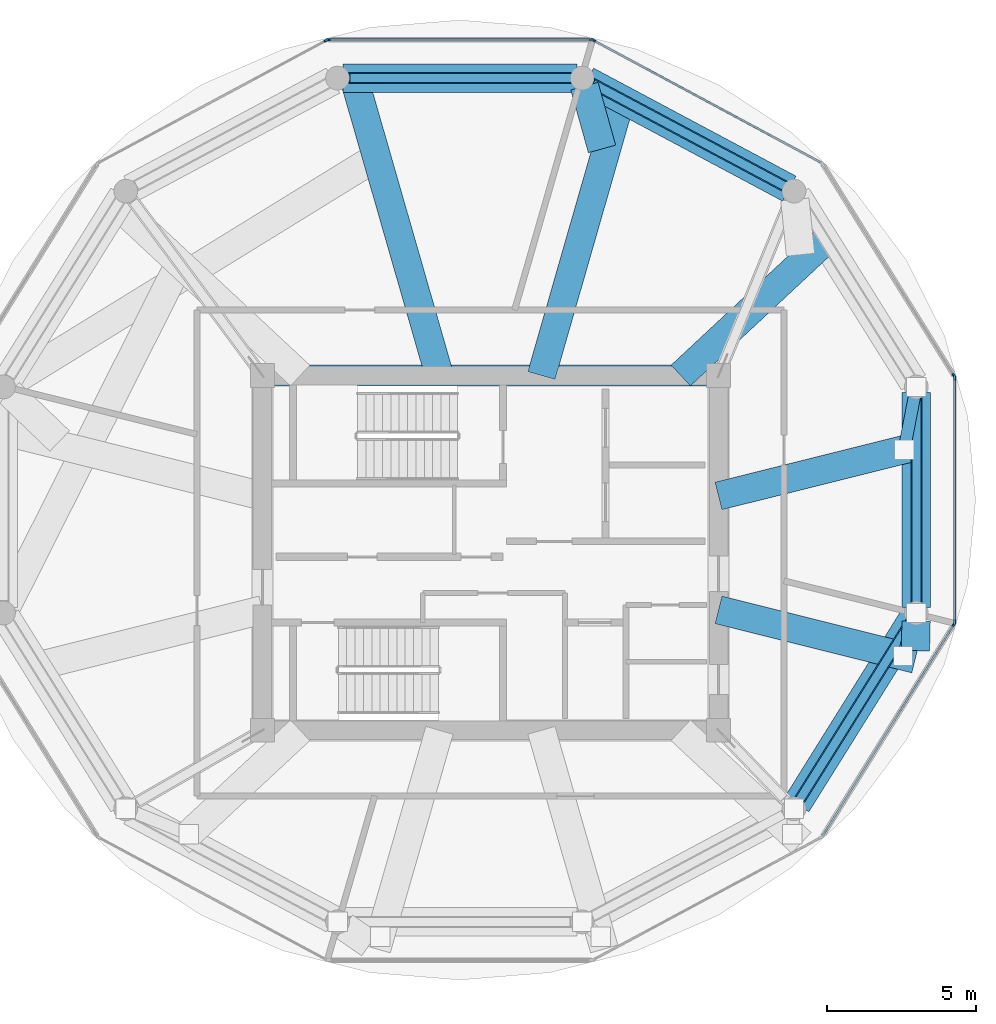
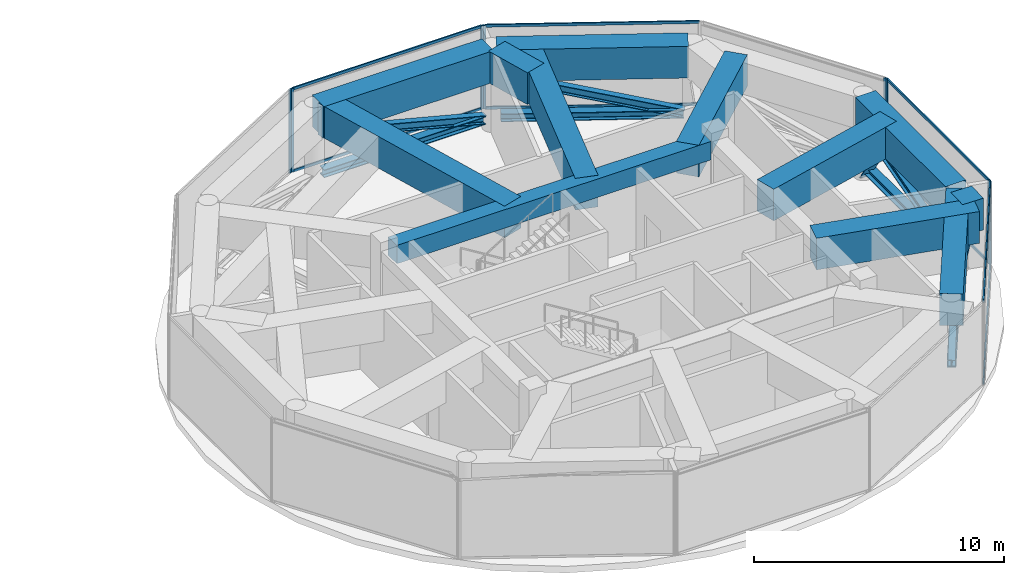
# One storey, part 9 of 20: 26 members, 12 beams, 6 elements without a shape of their own.
"""IFC4 building model written with IfcOpenShell, lengths in metres."""

from ifc_helpers import new_model, si_unit, direction, frame, origin, origin_2d, place, context, subcontext, project, spatial, rectangle, i_section, extrude, source, transform, mapped, material, layer, layer_set, material_profile, profile_set, type_object, type_shapes, element, aggregate, save


model = new_model("IFC4")

# Units and contexts
model_context = context("Model", 3, precision=1e-05, world=origin(), true_north=direction((0.0, 1.0)))
body_context = subcontext(model_context, "Body", "Model", "MODEL_VIEW")
ifc_project = project(units=[si_unit("LENGTHUNIT", "METRE"), si_unit("AREAUNIT", "SQUARE_METRE"), si_unit("VOLUMEUNIT", "CUBIC_METRE"), si_unit("PLANEANGLEUNIT", "RADIAN"), si_unit("MASSUNIT", "GRAM", prefix="KILO")], contexts=[model_context])

# Site, building, storey
site_placement = place(None, origin())
site = spatial("IfcSite", under=ifc_project, at=site_placement, CompositionType="ELEMENT")
building_placement = place(site_placement, origin())
building = spatial("IfcBuilding", under=site, at=building_placement, Name="Norrkilde Senior Care Towers", CompositionType="ELEMENT")
storey_placement = place(building_placement, frame((0.0, 0.0, 186.14990234375)))
storey = spatial("IfcBuildingStorey", under=building, at=storey_placement, Name="L58", CompositionType="ELEMENT", Elevation=186.14990234375)

# Beams
ifc_material_1 = material(Name="Concrete C60/75", Category="concrete")
ifc_material_profile_1 = material_profile(ifc_material_1, rectangle(XDim=0.699951171875, YDim=0.89990234375, at=origin_2d()), Name="RC BM 700x900")
ifc_profile_set_1 = profile_set([ifc_material_profile_1], Name="Concrete C60/75")
beam_type_1 = type_object("IfcBeamType", Name="Core Coupling Girder 700x900", PredefinedType="USERDEFINED", material=ifc_profile_set_1)
shared_shape_1 = source(origin(), body_context, "Body", "SweptSolid", [
    extrude(rectangle(XDim=0.699951171875, YDim=0.89990234375, at=origin_2d()), origin(), (0.0, 0.0, 1.0), 14.5400390625),
])
type_shapes(beam_type_1, [shared_shape_1])
beam_1_placement = place(storey_placement, frame((20.72998046875, 5.949951171875, 3.630126953125), z_axis=(1.0, 0.0, 0.0), x_axis=(0.0, 1.0, 0.0)))
element("IfcBeam", 1, at=beam_1_placement, inside=storey, type_object=beam_type_1, Name="L58 Core E N Coupling Girder", ObjectType="GIRDER", PredefinedType="USERDEFINED", context=body_context, shape_type="MappedRepresentation", body=[
    mapped(shared_shape_1, transform((0.0, 0.0, 0.0), x_axis=(1.0, 0.0, 0.0), y_axis=(0.0, 1.0, 0.0), z_axis=(0.0, 0.0, 1.0), scale=1.0)),
])
ifc_material_profile_2 = material_profile(ifc_material_1, rectangle(XDim=0.949951171875, YDim=1.550048828125, at=origin_2d()), Name="RC TG 950x1550")
ifc_profile_set_2 = profile_set([ifc_material_profile_2], Name="Concrete C60/75")
beam_type_2 = type_object("IfcBeamType", Name="Transfer Girder Zone Shift 950x1550", PredefinedType="USERDEFINED", material=ifc_profile_set_2)
shared_shape_2 = source(origin(), body_context, "Body", "SweptSolid", [
    extrude(rectangle(XDim=0.949951171875, YDim=1.550048828125, at=origin_2d()), origin(), (0.0, 0.0, 1.0), 7.38330078125),
])
beam_2_placement = place(storey_placement, frame((38.278076171875, -8.43115234375, 3.30517578125), z_axis=(0.529755193474, 0.84815059688, 0.0), x_axis=(-0.84815059688, 0.529755193474, 0.0)))
element("IfcBeam", 2, at=beam_2_placement, inside=storey, type_object=beam_type_2, Name="L58 Drum E Zone Ring Transfer Girder 11", ObjectType="GIRDER", PredefinedType="USERDEFINED", context=body_context, shape_type="MappedRepresentation", body=[
    mapped(shared_shape_2, transform((0.0, 0.0, 0.0), x_axis=(1.0, 0.0, 0.0), y_axis=(0.0, 1.0, 0.0), z_axis=(0.0, 0.0, 1.0), scale=1.0)),
])
shared_shape_3 = source(origin(), body_context, "Body", "SweptSolid", [
    extrude(rectangle(XDim=0.949951171875, YDim=1.550048828125, at=origin_2d()), origin(), (0.0, 0.0, 1.0), 7.844482421875),
])
beam_3_placement = place(storey_placement, frame((30.897216796875, 15.92626953125, 3.30517578125), z_axis=(-1.0, 0.0, 0.0), x_axis=(0.0, -1.0, 0.0)))
element("IfcBeam", 3, at=beam_3_placement, inside=storey, type_object=beam_type_2, Name="L58 Drum E Zone Ring Transfer Girder 03", ObjectType="GIRDER", PredefinedType="USERDEFINED", context=body_context, shape_type="MappedRepresentation", body=[
    mapped(shared_shape_3, transform((0.0, 0.0, 0.0), x_axis=(1.0, 0.0, 0.0), y_axis=(0.0, 1.0, 0.0), z_axis=(0.0, 0.0, 1.0), scale=1.0)),
])
shared_shape_4 = source(origin(), body_context, "Body", "SweptSolid", [
    extrude(rectangle(XDim=0.949951171875, YDim=1.550048828125, at=origin_2d()), origin(), (0.0, 0.0, 1.0), 7.69384765625),
])
beam_4_placement = place(storey_placement, frame((38.02392578125, 12.21923828125, 3.30517578125), z_axis=(-0.882251026015, 0.470779276408, 0.0), x_axis=(-0.470779276408, -0.882251026015, 0.0)))
element("IfcBeam", 4, at=beam_4_placement, inside=storey, type_object=beam_type_2, Name="L58 Drum E Zone Ring Transfer Girder 02", ObjectType="GIRDER", PredefinedType="USERDEFINED", context=body_context, shape_type="MappedRepresentation", body=[
    mapped(shared_shape_4, transform((0.0, 0.0, 0.0), x_axis=(1.0, 0.0, 0.0), y_axis=(0.0, 1.0, 0.0), z_axis=(0.0, 0.0, 1.0), scale=1.0)),
])
shared_shape_5 = source(origin(), body_context, "Body", "SweptSolid", [
    extrude(rectangle(XDim=0.949951171875, YDim=1.550048828125, at=origin_2d()), origin(), (0.0, 0.0, 1.0), 7.223388671875),
])
beam_5_placement = place(storey_placement, frame((42.284912109375, -1.83642578125, 3.30517578125), z_axis=(0.0, 1.0, 0.0), x_axis=(-1.0, 0.0, 0.0)))
element("IfcBeam", 5, at=beam_5_placement, inside=storey, type_object=beam_type_2, Name="L58 Drum E Zone Ring Transfer Girder 12", ObjectType="GIRDER", PredefinedType="USERDEFINED", context=body_context, shape_type="MappedRepresentation", body=[
    mapped(shared_shape_5, transform((0.0, 0.0, 0.0), x_axis=(1.0, 0.0, 0.0), y_axis=(0.0, 1.0, 0.0), z_axis=(0.0, 0.0, 1.0), scale=1.0)),
])
shared_shape_6 = source(origin(), body_context, "Body", "SweptSolid", [
    extrude(rectangle(XDim=0.949951171875, YDim=1.550048828125, at=origin_2d()), origin(), (0.0, 0.0, 1.0), 10.38037109375),
])
beam_6_placement = place(storey_placement, frame((26.289794921875, 5.949951171875, 3.30517578125), z_axis=(-0.276261532611, 0.961082496771, 0.0), x_axis=(-0.961082496771, -0.276261532611, 0.0)))
element("IfcBeam", 6, at=beam_6_placement, inside=storey, type_object=beam_type_2, Name="L58 Drum E Zone Transfer Girder 04", ObjectType="GIRDER", PredefinedType="USERDEFINED", context=body_context, shape_type="MappedRepresentation", body=[
    mapped(shared_shape_6, transform((0.0, 0.0, 0.0), x_axis=(1.0, 0.0, 0.0), y_axis=(0.0, 1.0, 0.0), z_axis=(0.0, 0.0, 1.0), scale=1.0)),
])
shared_shape_7 = source(origin(), body_context, "Body", "SweptSolid", [
    extrude(rectangle(XDim=0.949951171875, YDim=1.550048828125, at=origin_2d()), origin(), (0.0, 0.0, 1.0), 9.65771484375),
])
beam_7_placement = place(storey_placement, frame((29.710205078125, 5.949951171875, 3.30517578125), z_axis=(0.276249927127, 0.961085832672, 0.0), x_axis=(-0.961085832672, 0.276249927127, 0.0)))
element("IfcBeam", 7, at=beam_7_placement, inside=storey, type_object=beam_type_2, Name="L58 Drum E Zone Transfer Girder 03", ObjectType="GIRDER", PredefinedType="USERDEFINED", context=body_context, shape_type="MappedRepresentation", body=[
    mapped(shared_shape_7, transform((0.0, 0.0, 0.0), x_axis=(1.0, 0.0, 0.0), y_axis=(0.0, 1.0, 0.0), z_axis=(0.0, 0.0, 1.0), scale=1.0)),
])
shared_shape_8 = source(origin(), body_context, "Body", "SweptSolid", [
    extrude(rectangle(XDim=0.949951171875, YDim=1.550048828125, at=origin_2d()), origin(), (0.0, 0.0, 1.0), 2.186279296875),
])
beam_8_placement = place(storey_placement, frame((31.7421875, 13.551025390625, 3.30517578125), z_axis=(-0.269555372018, 0.962984891583, 0.0), x_axis=(-0.962984891583, -0.269555372018, 0.0)))
element("IfcBeam", 8, at=beam_8_placement, inside=storey, type_object=beam_type_2, Name="L58 Drum E Zone Star Transfer Tie 03", ObjectType="GIRDER", PredefinedType="USERDEFINED", context=body_context, shape_type="MappedRepresentation", body=[
    mapped(shared_shape_8, transform((0.0, 0.0, 0.0), x_axis=(1.0, 0.0, 0.0), y_axis=(0.0, 1.0, 0.0), z_axis=(0.0, 0.0, 1.0), scale=1.0)),
])
shared_shape_9 = source(origin(), body_context, "Body", "SweptSolid", [
    extrude(rectangle(XDim=0.949951171875, YDim=1.550048828125, at=origin_2d()), origin(), (0.0, 0.0, 1.0), 6.620849609375),
])
beam_9_placement = place(storey_placement, frame((34.3828125, 5.949951171875, 3.30517578125), z_axis=(0.731452448318, 0.68189245182, 0.0), x_axis=(-0.68189245182, 0.731452448318, 0.0)))
element("IfcBeam", 9, at=beam_9_placement, inside=storey, type_object=beam_type_2, Name="L58 Drum E Zone Transfer Girder 02", ObjectType="GIRDER", PredefinedType="USERDEFINED", context=body_context, shape_type="MappedRepresentation", body=[
    mapped(shared_shape_9, transform((0.0, 0.0, 0.0), x_axis=(1.0, 0.0, 0.0), y_axis=(0.0, 1.0, 0.0), z_axis=(0.0, 0.0, 1.0), scale=1.0)),
])
shared_shape_10 = source(origin(), body_context, "Body", "SweptSolid", [
    extrude(rectangle(XDim=0.949951171875, YDim=1.550048828125, at=origin_2d()), origin(), (0.0, 0.0, 1.0), 6.8388671875),
])
beam_10_placement = place(storey_placement, frame((35.64990234375, 1.910888671875, 3.30517578125), z_axis=(0.970194976123, 0.242325624533, 0.0), x_axis=(-0.242325624533, 0.970194976123, 0.0)))
element("IfcBeam", 10, at=beam_10_placement, inside=storey, type_object=beam_type_2, Name="L58 Drum E Zone Transfer Girder 01", ObjectType="GIRDER", PredefinedType="USERDEFINED", context=body_context, shape_type="MappedRepresentation", body=[
    mapped(shared_shape_10, transform((0.0, 0.0, 0.0), x_axis=(1.0, 0.0, 0.0), y_axis=(0.0, 1.0, 0.0), z_axis=(0.0, 0.0, 1.0), scale=1.0)),
])

# Member
ifc_material_2 = material(Name="Steel S355", Category="steel")
ifc_material_profile_3 = material_profile(ifc_material_2, i_section(OverallWidth=0.412109375, OverallDepth=0.449951171875, WebThickness=0.028076171875, FlangeThickness=0.044921875, FilletRadius=0.014892578125, at=origin_2d()), Name="HD 400x509")
ifc_profile_set_3 = profile_set([ifc_material_profile_3], Name="Steel S355")
member_type_1 = type_object("IfcMemberType", Name="Pratt Bridge Truss Diagonal HD400x509", PredefinedType="BRACE", material=ifc_profile_set_3)
shared_shape_11 = source(origin(), body_context, "Body", "SweptSolid", [
    extrude(i_section(OverallWidth=0.412109375, OverallDepth=0.449951171875, WebThickness=0.028076171875, FlangeThickness=0.044921875, FilletRadius=0.014892578125, at=origin_2d()), origin(), (0.0, 0.0, 1.0), 3.429443359375),
])
member_1_placement = place(storey_placement, frame((42.284912109375, 5.567138671875, 0.150146484375), z_axis=(-0.118813025192, -0.612574045404, 0.781432341244), x_axis=(0.981704938086, -0.190408546388, 0.0)))
element("IfcMember", 11, at=member_1_placement, inside=storey, type_object=member_type_1, Name="L58 Drum E Zone Transfer Raking Strut 01", PredefinedType="BRACE", context=body_context, shape_type="MappedRepresentation", body=[
    mapped(shared_shape_11, transform((0.0, 0.0, 0.0), x_axis=(1.0, 0.0, 0.0), y_axis=(0.0, 1.0, 0.0), z_axis=(0.0, 0.0, 1.0), scale=1.0)),
])

# Beam
shared_shape_12 = source(origin(), body_context, "Body", "SweptSolid", [
    extrude(rectangle(XDim=0.949951171875, YDim=1.550048828125, at=origin_2d()), origin(), (0.0, 0.0, 1.0), 6.800048828125),
])
beam_11_placement = place(storey_placement, frame((35.64990234375, -1.910888671875, 3.30517578125), z_axis=(0.970191054549, -0.242341324731, 0.0), x_axis=(0.242341324731, 0.970191054549, 0.0)))
element("IfcBeam", 12, at=beam_11_placement, inside=storey, type_object=beam_type_2, Name="L58 Drum E Zone Transfer Girder 12", ObjectType="GIRDER", PredefinedType="USERDEFINED", context=body_context, shape_type="MappedRepresentation", body=[
    mapped(shared_shape_12, transform((0.0, 0.0, 0.0), x_axis=(1.0, 0.0, 0.0), y_axis=(0.0, 1.0, 0.0), z_axis=(0.0, 0.0, 1.0), scale=1.0)),
])

# Member
shared_shape_13 = source(origin(), body_context, "Body", "SweptSolid", [
    extrude(i_section(OverallWidth=0.412109375, OverallDepth=0.449951171875, WebThickness=0.028076171875, FlangeThickness=0.044921875, FilletRadius=0.014892578125, at=origin_2d()), origin(), (0.0, 0.0, 1.0), 3.074951171875),
])
type_shapes(member_type_1, [shared_shape_11, shared_shape_13])
member_2_placement = place(storey_placement, frame((42.284912109375, -2.016357421875, 0.150146484375), z_axis=(-0.144737405978, -0.468510933997, 0.871520847735), x_axis=(0.955445820467, -0.295166536301, 0.0)))
element("IfcMember", 13, at=member_2_placement, inside=storey, type_object=member_type_1, Name="L58 Drum E Zone Transfer Raking Strut 12", PredefinedType="BRACE", context=body_context, shape_type="MappedRepresentation", body=[
    mapped(shared_shape_13, transform((0.0, 0.0, 0.0), x_axis=(1.0, 0.0, 0.0), y_axis=(0.0, 1.0, 0.0), z_axis=(0.0, 0.0, 1.0), scale=1.0)),
])

# Beam
shared_shape_14 = source(origin(), body_context, "Body", "SweptSolid", [
    extrude(rectangle(XDim=0.949951171875, YDim=1.550048828125, at=origin_2d()), origin(), (0.0, 0.0, 1.0), 0.98291015625),
])
type_shapes(beam_type_2, [shared_shape_2, shared_shape_3, shared_shape_4, shared_shape_5, shared_shape_6, shared_shape_7, shared_shape_8, shared_shape_9, shared_shape_10, shared_shape_12, shared_shape_14])
beam_12_placement = place(storey_placement, frame((42.254150390625, -3.27880859375, 3.30517578125), z_axis=(0.024340612396, 0.999703723404, 0.0), x_axis=(-0.999703723404, 0.024340612396, 0.0)))
element("IfcBeam", 14, at=beam_12_placement, inside=storey, type_object=beam_type_2, Name="L58 Drum E Zone Star Transfer Tie 12", ObjectType="GIRDER", PredefinedType="USERDEFINED", context=body_context, shape_type="MappedRepresentation", body=[
    mapped(shared_shape_14, transform((0.0, 0.0, 0.0), x_axis=(1.0, 0.0, 0.0), y_axis=(0.0, 1.0, 0.0), z_axis=(0.0, 0.0, 1.0), scale=1.0)),
])

# Members
ifc_material_profile_4 = material_profile(ifc_material_2, i_section(OverallWidth=0.300048828125, OverallDepth=0.39990234375, WebThickness=0.013427734375, FlangeThickness=0.02392578125, FilletRadius=0.027099609375, at=origin_2d()), Name="HEB 400")
ifc_profile_set_4 = profile_set([ifc_material_profile_4], Name="Steel S355")
member_type_2 = type_object("IfcMemberType", Name="Belt Truss Diagonal HEB400", PredefinedType="BRACE", material=ifc_profile_set_4)
shared_shape_15 = source(origin(), body_context, "Body", "SweptSolid", [
    extrude(i_section(OverallWidth=0.300048828125, OverallDepth=0.39990234375, WebThickness=0.013427734375, FlangeThickness=0.02392578125, FilletRadius=0.027099609375, at=origin_2d()), origin(), (0.0, 0.0, 1.0), 7.28369140625),
])
member_3_placement = place(storey_placement, frame((38.373291015625, -8.2783203125, 0.550048828125), z_axis=(0.510868141295, 0.81780466579, 0.264970320644), x_axis=(-0.848119362441, 0.529805197269, 0.0)))
element("IfcMember", 15, at=member_3_placement, inside=storey, type_object=member_type_2, Name="L58 Drum E Belt Truss Diagonal 11", PredefinedType="BRACE", context=body_context, shape_type="MappedRepresentation", body=[
    mapped(shared_shape_15, transform((0.0, 0.0, 0.0), x_axis=(1.0, 0.0, 0.0), y_axis=(0.0, 1.0, 0.0), z_axis=(0.0, 0.0, 1.0), scale=1.0)),
])
ifc_material_profile_5 = material_profile(ifc_material_2, i_section(OverallWidth=0.3740234375, OverallDepth=0.386962890625, WebThickness=0.01611328125, FlangeThickness=0.027099609375, FilletRadius=0.014892578125, at=origin_2d()), Name="HD 360x262")
ifc_profile_set_5 = profile_set([ifc_material_profile_5], Name="Steel S355")
member_type_3 = type_object("IfcMemberType", Name="Belt Truss Ring Chord HD360x262", PredefinedType="CHORD", material=ifc_profile_set_5)
shared_shape_16 = source(origin(), body_context, "Body", "SweptSolid", [
    extrude(i_section(OverallWidth=0.3740234375, OverallDepth=0.386962890625, WebThickness=0.01611328125, FlangeThickness=0.027099609375, FilletRadius=0.014892578125, at=origin_2d()), origin(), (0.0, 0.0, 1.0), 7.333740234375),
])
member_4_placement = place(storey_placement, frame((37.864990234375, 12.303955078125, 0.550048828125), z_axis=(-0.882247866069, 0.470785198172, 0.0), x_axis=(-0.470785198172, -0.882247866069, 0.0)))
element("IfcMember", 16, at=member_4_placement, inside=storey, type_object=member_type_3, Name="L58 Drum E Belt Truss Bottom Chord 02", PredefinedType="CHORD", context=body_context, shape_type="MappedRepresentation", body=[
    mapped(shared_shape_16, transform((0.0, 0.0, 0.0), x_axis=(1.0, 0.0, 0.0), y_axis=(0.0, 1.0, 0.0), z_axis=(0.0, 0.0, 1.0), scale=1.0)),
])
shared_shape_17 = source(origin(), body_context, "Body", "SweptSolid", [
    extrude(i_section(OverallWidth=0.300048828125, OverallDepth=0.39990234375, WebThickness=0.013427734375, FlangeThickness=0.02392578125, FilletRadius=0.027099609375, at=origin_2d()), origin(), (0.0, 0.0, 1.0), 7.58349609375),
])
member_5_placement = place(storey_placement, frame((37.864990234375, 12.303955078125, 0.550048828125), z_axis=(-0.853199772835, 0.455284551635, 0.254491895112), x_axis=(-0.470785198172, -0.882247866069, 0.0)))
element("IfcMember", 17, at=member_5_placement, inside=storey, type_object=member_type_2, Name="L58 Drum E Belt Truss Diagonal 02", PredefinedType="BRACE", context=body_context, shape_type="MappedRepresentation", body=[
    mapped(shared_shape_17, transform((0.0, 0.0, 0.0), x_axis=(1.0, 0.0, 0.0), y_axis=(0.0, 1.0, 0.0), z_axis=(0.0, 0.0, 1.0), scale=1.0)),
])
shared_shape_18 = source(origin(), body_context, "Body", "SweptSolid", [
    extrude(i_section(OverallWidth=0.3740234375, OverallDepth=0.386962890625, WebThickness=0.01611328125, FlangeThickness=0.027099609375, FilletRadius=0.014892578125, at=origin_2d()), origin(), (0.0, 0.0, 1.0), 7.484619140625),
])
member_6_placement = place(storey_placement, frame((30.71728515625, 15.92626953125, 0.550048828125), z_axis=(-1.0, 0.0, 0.0), x_axis=(0.0, -1.0, 0.0)))
element("IfcMember", 18, at=member_6_placement, inside=storey, type_object=member_type_3, Name="L58 Drum E Belt Truss Bottom Chord 03", PredefinedType="CHORD", context=body_context, shape_type="MappedRepresentation", body=[
    mapped(shared_shape_18, transform((0.0, 0.0, 0.0), x_axis=(1.0, 0.0, 0.0), y_axis=(0.0, 1.0, 0.0), z_axis=(0.0, 0.0, 1.0), scale=1.0)),
])
shared_shape_19 = source(origin(), body_context, "Body", "SweptSolid", [
    extrude(i_section(OverallWidth=0.300048828125, OverallDepth=0.39990234375, WebThickness=0.013427734375, FlangeThickness=0.02392578125, FilletRadius=0.027099609375, at=origin_2d()), origin(), (0.0, 0.0, 1.0), 7.7294921875),
])
member_7_placement = place(storey_placement, frame((30.71728515625, 15.92626953125, 0.550048828125), z_axis=(-0.968326855908, 0.0, 0.249686003065), x_axis=(0.0, -1.0, 0.0)))
element("IfcMember", 19, at=member_7_placement, inside=storey, type_object=member_type_2, Name="L58 Drum E Belt Truss Diagonal 03", PredefinedType="BRACE", context=body_context, shape_type="MappedRepresentation", body=[
    mapped(shared_shape_19, transform((0.0, 0.0, 0.0), x_axis=(1.0, 0.0, 0.0), y_axis=(0.0, 1.0, 0.0), z_axis=(0.0, 0.0, 1.0), scale=1.0)),
])
shared_shape_20 = source(origin(), body_context, "Body", "SweptSolid", [
    extrude(i_section(OverallWidth=0.3740234375, OverallDepth=0.386962890625, WebThickness=0.01611328125, FlangeThickness=0.027099609375, FilletRadius=0.014892578125, at=origin_2d()), origin(), (0.0, 0.0, 1.0), 6.86328125),
])
member_8_placement = place(storey_placement, frame((42.284912109375, -1.65625, 0.550048828125), z_axis=(0.0, 1.0, 0.0), x_axis=(-1.0, 0.0, 0.0)))
element("IfcMember", 20, at=member_8_placement, inside=storey, type_object=member_type_3, Name="L58 Drum E Belt Truss Bottom Chord 12", PredefinedType="CHORD", context=body_context, shape_type="MappedRepresentation", body=[
    mapped(shared_shape_20, transform((0.0, 0.0, 0.0), x_axis=(1.0, 0.0, 0.0), y_axis=(0.0, 1.0, 0.0), z_axis=(0.0, 0.0, 1.0), scale=1.0)),
])
shared_shape_21 = source(origin(), body_context, "Body", "SweptSolid", [
    extrude(i_section(OverallWidth=0.300048828125, OverallDepth=0.39990234375, WebThickness=0.013427734375, FlangeThickness=0.02392578125, FilletRadius=0.027099609375, at=origin_2d()), origin(), (0.0, 0.0, 1.0), 7.12939453125),
])
type_shapes(member_type_2, [shared_shape_15, shared_shape_17, shared_shape_19, shared_shape_21])
member_9_placement = place(storey_placement, frame((42.284912109375, -1.65625, 0.550048828125), z_axis=(0.0, 0.962664326635, 0.270697976026), x_axis=(-1.0, 0.0, 0.0)))
element("IfcMember", 21, at=member_9_placement, inside=storey, type_object=member_type_2, Name="L58 Drum E Belt Truss Diagonal 12", PredefinedType="BRACE", context=body_context, shape_type="MappedRepresentation", body=[
    mapped(shared_shape_21, transform((0.0, 0.0, 0.0), x_axis=(1.0, 0.0, 0.0), y_axis=(0.0, 1.0, 0.0), z_axis=(0.0, 0.0, 1.0), scale=1.0)),
])
shared_shape_22 = source(origin(), body_context, "Body", "SweptSolid", [
    extrude(i_section(OverallWidth=0.3740234375, OverallDepth=0.386962890625, WebThickness=0.01611328125, FlangeThickness=0.027099609375, FilletRadius=0.014892578125, at=origin_2d()), origin(), (0.0, 0.0, 1.0), 7.023193359375),
])
type_shapes(member_type_3, [shared_shape_16, shared_shape_18, shared_shape_20, shared_shape_22])
member_10_placement = place(storey_placement, frame((38.373291015625, -8.2783203125, 0.550048828125), z_axis=(0.529805197269, 0.848119362441, 0.0), x_axis=(-0.848119362441, 0.529805197269, 0.0)))
element("IfcMember", 22, at=member_10_placement, inside=storey, type_object=member_type_3, Name="L58 Drum E Belt Truss Bottom Chord 11", PredefinedType="CHORD", context=body_context, shape_type="MappedRepresentation", body=[
    mapped(shared_shape_22, transform((0.0, 0.0, 0.0), x_axis=(1.0, 0.0, 0.0), y_axis=(0.0, 1.0, 0.0), z_axis=(0.0, 0.0, 1.0), scale=1.0)),
])

# Curtain wall, member
ifc_material_3 = material(Name="Triple Low-E Insulated Glazing", Category="glass")
ifc_layer = layer(ifc_material_3, 0.18505859375)
ifc_layer_set = layer_set([ifc_layer], Name="Triple Low-E Insulated Glazing")
curtain_wall_type = type_object("IfcCurtainWallType", Name="CW6 Zone 4 Crown Pavilion Curtain Wall", PredefinedType="NOTDEFINED", material=ifc_layer_set)
curtain_wall_1_placement = place(storey_placement, origin())
curtain_wall_1 = element("IfcCurtainWall", 23, at=curtain_wall_1_placement, inside=storey, type_object=curtain_wall_type, Name="L58 Drum E Curtain Wall 00", PredefinedType="NOTDEFINED")
ifc_material_4 = material(Name="Anodised Aluminium", Category="aluminium")
ifc_material_profile_6 = material_profile(ifc_material_4, rectangle(XDim=0.070068359375, YDim=0.169921875, at=origin_2d()), Name="ALU MULL 70x170")
ifc_profile_set_6 = profile_set([ifc_material_profile_6], Name="Anodised Aluminium")
member_type_4 = type_object("IfcMemberType", Name="Curtain Wall Mullion Heavy 70x170", PredefinedType="MULLION", material=ifc_profile_set_6)
shared_shape_23 = source(origin(), body_context, "Body", "SweptSolid", [
    extrude(rectangle(XDim=0.070068359375, YDim=0.169921875, at=origin_2d()), origin(), (0.0, 0.0, 1.0), 4.080078125),
])
type_shapes(member_type_4, [shared_shape_23])
member_11_placement = place(storey_placement, frame((43.55126953125, 5.94091796875, 0.0), z_axis=(0.0, 0.0, 1.0), x_axis=(0.84963405474, 0.52737270789, 0.0)))
member_11 = element("IfcMember", 24, at=member_11_placement, type_object=member_type_4, Name="CW-6 mullion 2", PredefinedType="MULLION", context=body_context, shape_type="MappedRepresentation", body=[
    mapped(shared_shape_23, transform((0.0, 0.0, 0.0), x_axis=(1.0, 0.0, 0.0), y_axis=(0.0, 1.0, 0.0), z_axis=(0.0, 0.0, 1.0), scale=1.0)),
])
aggregate(curtain_wall_1, [member_11])

curtain_wall_2_placement = place(storey_placement, origin())
curtain_wall_2 = element("IfcCurtainWall", 25, at=curtain_wall_2_placement, inside=storey, type_object=curtain_wall_type, Name="L58 Drum E Curtain Wall 01", PredefinedType="NOTDEFINED")
member_12_placement = place(storey_placement, frame((31.452392578125, 17.1943359375, 0.0), z_axis=(0.0, 0.0, 1.0), x_axis=(0.47311715104, 0.880999524059, 0.0)))
member_12 = element("IfcMember", 26, at=member_12_placement, type_object=member_type_4, Name="CW-6 mullion 1", PredefinedType="MULLION", context=body_context, shape_type="MappedRepresentation", body=[
    mapped(shared_shape_23, transform((0.0, 0.0, 0.0), x_axis=(1.0, 0.0, 0.0), y_axis=(0.0, 1.0, 0.0), z_axis=(0.0, 0.0, 1.0), scale=1.0)),
])

# Curtain wall, members
curtain_wall_3_placement = place(storey_placement, origin())
curtain_wall_3 = element("IfcCurtainWall", 27, at=curtain_wall_3_placement, inside=storey, type_object=curtain_wall_type, Name="L58 Drum E Curtain Wall 02", PredefinedType="NOTDEFINED")
member_13_placement = place(storey_placement, frame((22.5634765625, 17.2109375, 0.0), z_axis=(0.0, 0.0, 1.0), x_axis=(0.0, 1.0, 0.0)))
member_13 = element("IfcMember", 28, at=member_13_placement, type_object=member_type_4, Name="CW-6 mullion 1", PredefinedType="MULLION", context=body_context, shape_type="MappedRepresentation", body=[
    mapped(shared_shape_23, transform((0.0, 0.0, 0.0), x_axis=(1.0, 0.0, 0.0), y_axis=(0.0, 1.0, 0.0), z_axis=(0.0, 0.0, 1.0), scale=1.0)),
])
member_14_placement = place(storey_placement, frame((31.386474609375, 17.2109375, 0.0), z_axis=(0.0, 0.0, 1.0), x_axis=(0.0, 1.0, 0.0)))
member_14 = element("IfcMember", 29, at=member_14_placement, type_object=member_type_4, Name="CW-6 mullion 2", PredefinedType="MULLION", context=body_context, shape_type="MappedRepresentation", body=[
    mapped(shared_shape_23, transform((0.0, 0.0, 0.0), x_axis=(1.0, 0.0, 0.0), y_axis=(0.0, 1.0, 0.0), z_axis=(0.0, 0.0, 1.0), scale=1.0)),
])

# Curtain wall, member
curtain_wall_4_placement = place(storey_placement, origin())
curtain_wall_4 = element("IfcCurtainWall", 30, at=curtain_wall_4_placement, inside=storey, type_object=curtain_wall_type, Name="L58 Drum E Curtain Wall 03", PredefinedType="NOTDEFINED")
member_15_placement = place(storey_placement, frame((22.49755859375, 17.1943359375, 0.0), z_axis=(0.0, 0.0, 1.0), x_axis=(-0.47311715104, 0.880999524059, 0.0)))
member_15 = element("IfcMember", 31, at=member_15_placement, type_object=member_type_4, Name="CW-6 mullion 2", PredefinedType="MULLION", context=body_context, shape_type="MappedRepresentation", body=[
    mapped(shared_shape_23, transform((0.0, 0.0, 0.0), x_axis=(1.0, 0.0, 0.0), y_axis=(0.0, 1.0, 0.0), z_axis=(0.0, 0.0, 1.0), scale=1.0)),
])
aggregate(curtain_wall_4, [member_15])

curtain_wall_5_placement = place(storey_placement, origin())
curtain_wall_5 = element("IfcCurtainWall", 32, at=curtain_wall_5_placement, inside=storey, type_object=curtain_wall_type, Name="L58 Drum E Curtain Wall 10", PredefinedType="NOTDEFINED")
member_16_placement = place(storey_placement, frame((43.55126953125, -2.390380859375, 0.0), z_axis=(0.0, 0.0, 1.0), x_axis=(0.84963405474, -0.52737270789, 0.0)))
member_16 = element("IfcMember", 33, at=member_16_placement, type_object=member_type_4, Name="CW-6 mullion 1", PredefinedType="MULLION", context=body_context, shape_type="MappedRepresentation", body=[
    mapped(shared_shape_23, transform((0.0, 0.0, 0.0), x_axis=(1.0, 0.0, 0.0), y_axis=(0.0, 1.0, 0.0), z_axis=(0.0, 0.0, 1.0), scale=1.0)),
])

# Curtain wall, members
curtain_wall_6_placement = place(storey_placement, origin())
curtain_wall_6 = element("IfcCurtainWall", 34, at=curtain_wall_6_placement, inside=storey, type_object=curtain_wall_type, Name="L58 Drum E Curtain Wall 11", PredefinedType="NOTDEFINED")
member_17_placement = place(storey_placement, frame((43.569580078125, 5.876220703125, 0.0), z_axis=(0.0, 0.0, 1.0), x_axis=(1.0, 0.0, 0.0)))
member_17 = element("IfcMember", 35, at=member_17_placement, type_object=member_type_4, Name="CW-6 mullion 1", PredefinedType="MULLION", context=body_context, shape_type="MappedRepresentation", body=[
    mapped(shared_shape_23, transform((0.0, 0.0, 0.0), x_axis=(1.0, 0.0, 0.0), y_axis=(0.0, 1.0, 0.0), z_axis=(0.0, 0.0, 1.0), scale=1.0)),
])
member_18_placement = place(storey_placement, frame((43.569580078125, -2.32568359375, 0.0), z_axis=(0.0, 0.0, 1.0), x_axis=(1.0, 0.0, 0.0)))
member_18 = element("IfcMember", 36, at=member_18_placement, type_object=member_type_4, Name="CW-6 mullion 2", PredefinedType="MULLION", context=body_context, shape_type="MappedRepresentation", body=[
    mapped(shared_shape_23, transform((0.0, 0.0, 0.0), x_axis=(1.0, 0.0, 0.0), y_axis=(0.0, 1.0, 0.0), z_axis=(0.0, 0.0, 1.0), scale=1.0)),
])

# Member
ifc_material_profile_7 = material_profile(ifc_material_4, rectangle(XDim=0.06494140625, YDim=0.1298828125, at=origin_2d()), Name="ALU TRAN 65x130")
ifc_profile_set_7 = profile_set([ifc_material_profile_7], Name="Anodised Aluminium")
member_type_5 = type_object("IfcMemberType", Name="Curtain Wall Transom Heavy 65x130", PredefinedType="USERDEFINED", material=ifc_profile_set_7)
shared_shape_24 = source(origin(), body_context, "Body", "SweptSolid", [
    extrude(rectangle(XDim=0.06494140625, YDim=0.1298828125, at=origin_2d()), origin(), (0.0, 0.0, 1.0), 8.29150390625),
])
member_19_placement = place(storey_placement, frame((43.53271484375, -2.420166015625, 0.03271484375), z_axis=(-0.527384117405, -0.849626972682, 0.0), x_axis=(0.849626972682, -0.527384117405, 0.0)))
member_19 = element("IfcMember", 37, at=member_19_placement, type_object=member_type_5, Name="CW-6 transom 1.1", ObjectType="TRANSOM", PredefinedType="USERDEFINED", context=body_context, shape_type="MappedRepresentation", body=[
    mapped(shared_shape_24, transform((0.0, 0.0, 0.0), x_axis=(1.0, 0.0, 0.0), y_axis=(0.0, 1.0, 0.0), z_axis=(0.0, 0.0, 1.0), scale=1.0)),
])

member_20_placement = place(storey_placement, frame((43.53271484375, -2.420166015625, 4.047607421875), z_axis=(-0.527384117405, -0.849626972682, 0.0), x_axis=(0.849626972682, -0.527384117405, 0.0)))
member_20 = element("IfcMember", 38, at=member_20_placement, type_object=member_type_5, Name="CW-6 transom 1.2", ObjectType="TRANSOM", PredefinedType="USERDEFINED", context=body_context, shape_type="MappedRepresentation", body=[
    mapped(shared_shape_24, transform((0.0, 0.0, 0.0), x_axis=(1.0, 0.0, 0.0), y_axis=(0.0, 1.0, 0.0), z_axis=(0.0, 0.0, 1.0), scale=1.0)),
])

aggregate(curtain_wall_5, [member_16, member_19, member_20])

shared_shape_25 = source(origin(), body_context, "Body", "SweptSolid", [
    extrude(rectangle(XDim=0.06494140625, YDim=0.1298828125, at=origin_2d()), origin(), (0.0, 0.0, 1.0), 8.601806640625),
])
member_21_placement = place(storey_placement, frame((31.483154296875, 17.177734375, 0.03271484375), z_axis=(0.881008230911, -0.473100937504, 0.0), x_axis=(0.473100937504, 0.881008230911, 0.0)))
member_21 = element("IfcMember", 39, at=member_21_placement, type_object=member_type_5, Name="CW-6 transom 1.1", ObjectType="TRANSOM", PredefinedType="USERDEFINED", context=body_context, shape_type="MappedRepresentation", body=[
    mapped(shared_shape_25, transform((0.0, 0.0, 0.0), x_axis=(1.0, 0.0, 0.0), y_axis=(0.0, 1.0, 0.0), z_axis=(0.0, 0.0, 1.0), scale=1.0)),
])

member_22_placement = place(storey_placement, frame((31.483154296875, 17.177734375, 4.047607421875), z_axis=(0.881008230911, -0.473100937504, 0.0), x_axis=(0.473100937504, 0.881008230911, 0.0)))
member_22 = element("IfcMember", 40, at=member_22_placement, type_object=member_type_5, Name="CW-6 transom 1.2", ObjectType="TRANSOM", PredefinedType="USERDEFINED", context=body_context, shape_type="MappedRepresentation", body=[
    mapped(shared_shape_25, transform((0.0, 0.0, 0.0), x_axis=(1.0, 0.0, 0.0), y_axis=(0.0, 1.0, 0.0), z_axis=(0.0, 0.0, 1.0), scale=1.0)),
])

aggregate(curtain_wall_2, [member_12, member_21, member_22])

shared_shape_26 = source(origin(), body_context, "Body", "SweptSolid", [
    extrude(rectangle(XDim=0.06494140625, YDim=0.1298828125, at=origin_2d()), origin(), (0.0, 0.0, 1.0), 8.753173828125),
])
member_23_placement = place(storey_placement, frame((22.598388671875, 17.2109375, 0.03271484375), z_axis=(1.0, 0.0, 0.0), x_axis=(0.0, 1.0, 0.0)))
member_23 = element("IfcMember", 41, at=member_23_placement, type_object=member_type_5, Name="CW-6 transom 1.1", ObjectType="TRANSOM", PredefinedType="USERDEFINED", context=body_context, shape_type="MappedRepresentation", body=[
    mapped(shared_shape_26, transform((0.0, 0.0, 0.0), x_axis=(1.0, 0.0, 0.0), y_axis=(0.0, 1.0, 0.0), z_axis=(0.0, 0.0, 1.0), scale=1.0)),
])

member_24_placement = place(storey_placement, frame((22.598388671875, 17.2109375, 4.047607421875), z_axis=(1.0, 0.0, 0.0), x_axis=(0.0, 1.0, 0.0)))
member_24 = element("IfcMember", 42, at=member_24_placement, type_object=member_type_5, Name="CW-6 transom 1.2", ObjectType="TRANSOM", PredefinedType="USERDEFINED", context=body_context, shape_type="MappedRepresentation", body=[
    mapped(shared_shape_26, transform((0.0, 0.0, 0.0), x_axis=(1.0, 0.0, 0.0), y_axis=(0.0, 1.0, 0.0), z_axis=(0.0, 0.0, 1.0), scale=1.0)),
])

aggregate(curtain_wall_3, [member_13, member_14, member_23, member_24])

shared_shape_27 = source(origin(), body_context, "Body", "SweptSolid", [
    extrude(rectangle(XDim=0.06494140625, YDim=0.1298828125, at=origin_2d()), origin(), (0.0, 0.0, 1.0), 8.1318359375),
])
type_shapes(member_type_5, [shared_shape_24, shared_shape_25, shared_shape_26, shared_shape_27])
member_25_placement = place(storey_placement, frame((43.569580078125, 5.84130859375, 0.03271484375), z_axis=(0.0, -1.0, 0.0), x_axis=(1.0, 0.0, 0.0)))
member_25 = element("IfcMember", 43, at=member_25_placement, type_object=member_type_5, Name="CW-6 transom 1.1", ObjectType="TRANSOM", PredefinedType="USERDEFINED", context=body_context, shape_type="MappedRepresentation", body=[
    mapped(shared_shape_27, transform((0.0, 0.0, 0.0), x_axis=(1.0, 0.0, 0.0), y_axis=(0.0, 1.0, 0.0), z_axis=(0.0, 0.0, 1.0), scale=1.0)),
])

member_26_placement = place(storey_placement, frame((43.569580078125, 5.84130859375, 4.047607421875), z_axis=(0.0, -1.0, 0.0), x_axis=(1.0, 0.0, 0.0)))
member_26 = element("IfcMember", 44, at=member_26_placement, type_object=member_type_5, Name="CW-6 transom 1.2", ObjectType="TRANSOM", PredefinedType="USERDEFINED", context=body_context, shape_type="MappedRepresentation", body=[
    mapped(shared_shape_27, transform((0.0, 0.0, 0.0), x_axis=(1.0, 0.0, 0.0), y_axis=(0.0, 1.0, 0.0), z_axis=(0.0, 0.0, 1.0), scale=1.0)),
])

aggregate(curtain_wall_6, [member_17, member_18, member_25, member_26])

save(model, "model.ifc")
